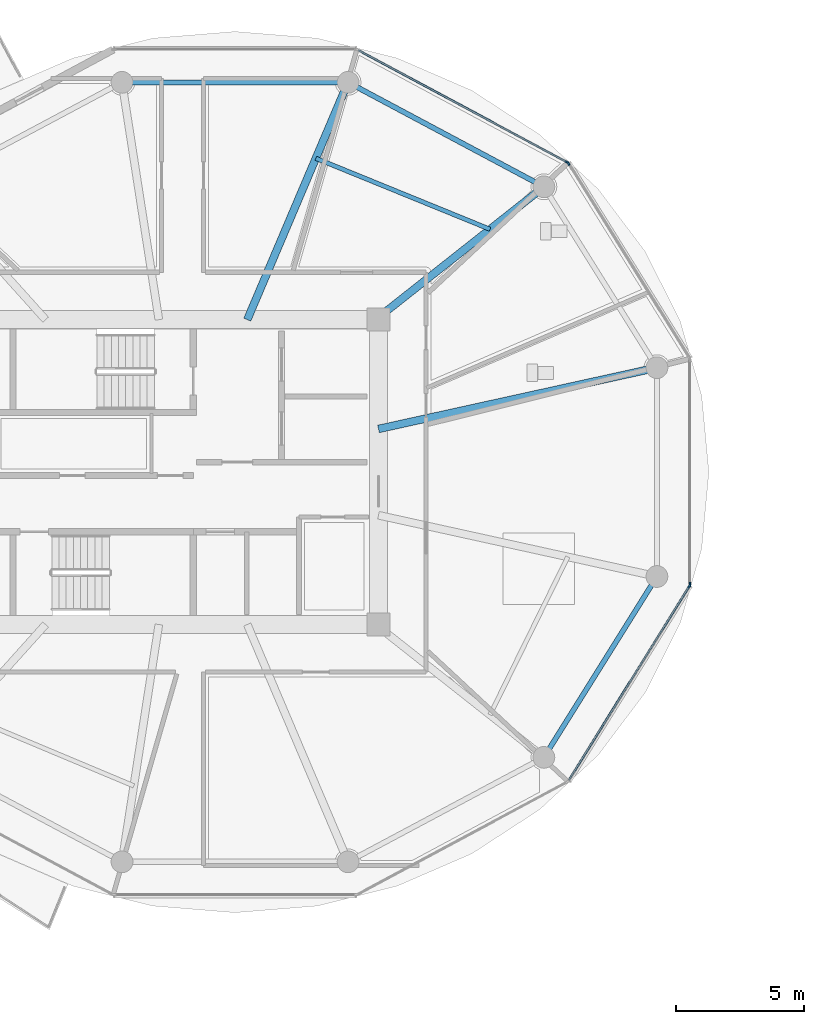
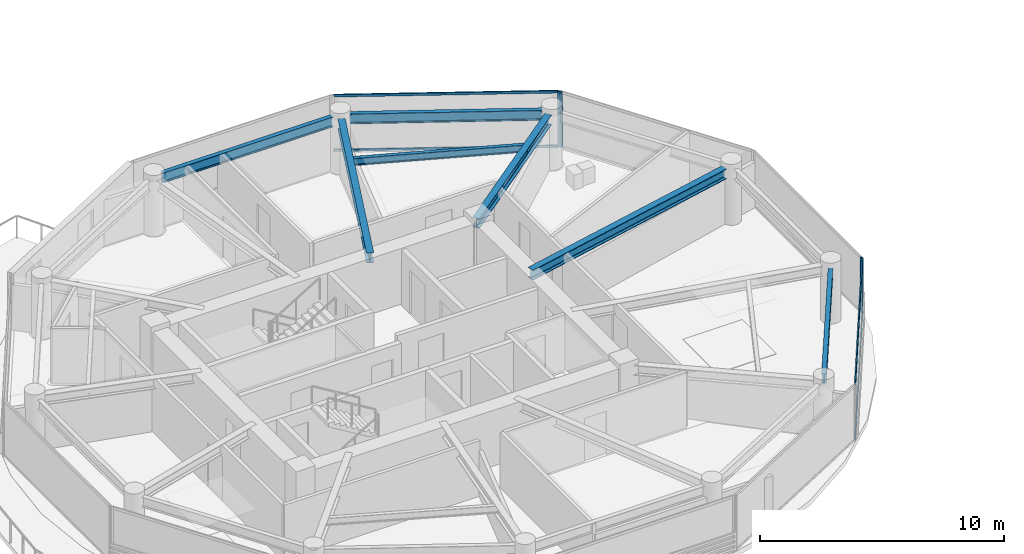
# One storey, part 5 of 25: 8 members, 7 beams, 4 elements without a shape of their own.
"""IFC4 building model written with IfcOpenShell, lengths in metres."""

from ifc_helpers import new_model, si_unit, direction, frame, origin, origin_2d, place, context, subcontext, project, spatial, rectangle, i_section, extrude, source, transform, mapped, material, layer, layer_set, material_profile, profile_set, type_object, type_shapes, element, aggregate, save


model = new_model("IFC4")

# Units and contexts
model_context = context("Model", 3, precision=1e-05, world=origin(), true_north=direction((0.0, 1.0)))
body_context = subcontext(model_context, "Body", "Model", "MODEL_VIEW")
ifc_project = project(units=[si_unit("LENGTHUNIT", "METRE"), si_unit("AREAUNIT", "SQUARE_METRE"), si_unit("VOLUMEUNIT", "CUBIC_METRE"), si_unit("PLANEANGLEUNIT", "RADIAN"), si_unit("MASSUNIT", "GRAM", prefix="KILO")], contexts=[model_context])

# Site, building, storey
site_placement = place(None, origin())
site = spatial("IfcSite", under=ifc_project, at=site_placement, CompositionType="ELEMENT")
building_placement = place(site_placement, origin())
building = spatial("IfcBuilding", under=site, at=building_placement, Name="Norrkilde Senior Care Towers", CompositionType="ELEMENT")
storey_placement = place(building_placement, frame((0.0, 0.0, 99.300048828125)))
storey = spatial("IfcBuildingStorey", under=building, at=storey_placement, Name="L30", CompositionType="ELEMENT", Elevation=99.300048828125)

# Beams
ifc_material_1 = material(Name="Steel S355", Category="steel")
ifc_material_profile_1 = material_profile(ifc_material_1, i_section(OverallWidth=0.199951171875, OverallDepth=0.5, WebThickness=0.01025390625, FlangeThickness=0.01611328125, FilletRadius=0.02099609375, at=origin_2d()), Name="IPE 500")
ifc_profile_set_1 = profile_set([ifc_material_profile_1], Name="Steel S355")
beam_type_1 = type_object("IfcBeamType", Name="Perimeter Ring Spandrel Z2 IPE500", PredefinedType="SPANDREL", material=ifc_profile_set_1)
shared_shape_1 = source(origin(), body_context, "Body", "SweptSolid", [
    extrude(i_section(OverallWidth=0.199951171875, OverallDepth=0.5, WebThickness=0.01025390625, FlangeThickness=0.01611328125, FilletRadius=0.02099609375, at=origin_2d()), origin(), (0.0, 0.0, 1.0), 7.55615234375),
])
beam_1_placement = place(storey_placement, frame((-13.689697265625, -10.810546875, 2.5400390625), z_axis=(0.529981514254, 0.848009194849, 0.0), x_axis=(-0.848009194849, 0.529981514254, 0.0)))
element("IfcBeam", 1, at=beam_1_placement, inside=storey, type_object=beam_type_1, Name="L30 Drum W Perimeter Spandrel 11", PredefinedType="SPANDREL", context=body_context, shape_type="MappedRepresentation", body=[
    mapped(shared_shape_1, transform((0.0, 0.0, 0.0), x_axis=(1.0, 0.0, 0.0), y_axis=(0.0, 1.0, 0.0), z_axis=(0.0, 0.0, 1.0), scale=1.0)),
])
ifc_material_profile_2 = material_profile(ifc_material_1, i_section(OverallWidth=0.300048828125, OverallDepth=0.5, WebThickness=0.014404296875, FlangeThickness=0.028076171875, FilletRadius=0.027099609375, at=origin_2d()), Name="HEB 500")
ifc_profile_set_2 = profile_set([ifc_material_profile_2], Name="Steel S355")
beam_type_2 = type_object("IfcBeamType", Name="Radial Floor Beam Z2 HEB500", PredefinedType="BEAM", material=ifc_profile_set_2)
shared_shape_2 = source(origin(), body_context, "Body", "SweptSolid", [
    extrude(i_section(OverallWidth=0.300048828125, OverallDepth=0.5, WebThickness=0.014404296875, FlangeThickness=0.028076171875, FilletRadius=0.027099609375, at=origin_2d()), origin(), (0.0, 0.0, 1.0), 10.744384765625),
])
beam_2_placement = place(storey_placement, frame((-20.35009765625, 1.683837890625, 2.5400390625), z_axis=(0.976618711422, 0.214978818724, 0.0), x_axis=(-0.214978818724, 0.976618711422, 0.0)))
element("IfcBeam", 2, at=beam_2_placement, inside=storey, type_object=beam_type_2, Name="L30 Drum W Radial Floor Beam 01", PredefinedType="BEAM", context=body_context, shape_type="MappedRepresentation", body=[
    mapped(shared_shape_2, transform((0.0, 0.0, 0.0), x_axis=(1.0, 0.0, 0.0), y_axis=(0.0, 1.0, 0.0), z_axis=(0.0, 0.0, 1.0), scale=1.0)),
])
shared_shape_3 = source(origin(), body_context, "Body", "SweptSolid", [
    extrude(i_section(OverallWidth=0.199951171875, OverallDepth=0.5, WebThickness=0.01025390625, FlangeThickness=0.01611328125, FilletRadius=0.02099609375, at=origin_2d()), origin(), (0.0, 0.0, 1.0), 7.892333984375),
])
beam_3_placement = place(storey_placement, frame((-14.233642578125, 11.318115234375, 2.5400390625), z_axis=(-0.882350372282, 0.47059305194, 0.0), x_axis=(-0.47059305194, -0.882350372282, 0.0)))
element("IfcBeam", 3, at=beam_3_placement, inside=storey, type_object=beam_type_1, Name="L30 Drum W Perimeter Spandrel 02", PredefinedType="SPANDREL", context=body_context, shape_type="MappedRepresentation", body=[
    mapped(shared_shape_3, transform((0.0, 0.0, 0.0), x_axis=(1.0, 0.0, 0.0), y_axis=(0.0, 1.0, 0.0), z_axis=(0.0, 0.0, 1.0), scale=1.0)),
])
shared_shape_4 = source(origin(), body_context, "Body", "SweptSolid", [
    extrude(i_section(OverallWidth=0.300048828125, OverallDepth=0.5, WebThickness=0.014404296875, FlangeThickness=0.028076171875, FilletRadius=0.027099609375, at=origin_2d()), origin(), (0.0, 0.0, 1.0), 7.985595703125),
])
beam_4_placement = place(storey_placement, frame((-20.463623046875, 5.949951171875, 2.5400390625), z_axis=(0.784858505144, 0.619675017169, 0.0), x_axis=(-0.619675017169, 0.784858505144, 0.0)))
element("IfcBeam", 4, at=beam_4_placement, inside=storey, type_object=beam_type_2, Name="L30 Drum W Radial Floor Beam 02", PredefinedType="BEAM", context=body_context, shape_type="MappedRepresentation", body=[
    mapped(shared_shape_4, transform((0.0, 0.0, 0.0), x_axis=(1.0, 0.0, 0.0), y_axis=(0.0, 1.0, 0.0), z_axis=(0.0, 0.0, 1.0), scale=1.0)),
])
shared_shape_5 = source(origin(), body_context, "Body", "SweptSolid", [
    extrude(i_section(OverallWidth=0.199951171875, OverallDepth=0.5, WebThickness=0.01025390625, FlangeThickness=0.01611328125, FilletRadius=0.02099609375, at=origin_2d()), origin(), (0.0, 0.0, 1.0), 8.0556640625),
])
type_shapes(beam_type_1, [shared_shape_1, shared_shape_3, shared_shape_5])
beam_5_placement = place(storey_placement, frame((-21.922119140625, 15.21337890625, 2.5400390625), z_axis=(-1.0, 0.0, 0.0), x_axis=(0.0, -1.0, 0.0)))
element("IfcBeam", 5, at=beam_5_placement, inside=storey, type_object=beam_type_1, Name="L30 Drum W Perimeter Spandrel 03", PredefinedType="SPANDREL", context=body_context, shape_type="MappedRepresentation", body=[
    mapped(shared_shape_5, transform((0.0, 0.0, 0.0), x_axis=(1.0, 0.0, 0.0), y_axis=(0.0, 1.0, 0.0), z_axis=(0.0, 0.0, 1.0), scale=1.0)),
])
shared_shape_6 = source(origin(), body_context, "Body", "SweptSolid", [
    extrude(i_section(OverallWidth=0.300048828125, OverallDepth=0.5, WebThickness=0.014404296875, FlangeThickness=0.028076171875, FilletRadius=0.027099609375, at=origin_2d()), origin(), (0.0, 0.0, 1.0), 9.679443359375),
])
type_shapes(beam_type_2, [shared_shape_2, shared_shape_4, shared_shape_6])
beam_6_placement = place(storey_placement, frame((-25.472412109375, 5.949951171875, 2.5400390625), z_axis=(0.390998033479, 0.920391513333, 0.0), x_axis=(-0.920391513333, 0.390998033479, 0.0)))
element("IfcBeam", 6, at=beam_6_placement, inside=storey, type_object=beam_type_2, Name="L30 Drum W Radial Floor Beam 03", PredefinedType="BEAM", context=body_context, shape_type="MappedRepresentation", body=[
    mapped(shared_shape_6, transform((0.0, 0.0, 0.0), x_axis=(1.0, 0.0, 0.0), y_axis=(0.0, 1.0, 0.0), z_axis=(0.0, 0.0, 1.0), scale=1.0)),
])
ifc_material_profile_3 = material_profile(ifc_material_1, i_section(OverallWidth=0.169921875, OverallDepth=0.360107421875, WebThickness=0.008056640625, FlangeThickness=0.0126953125, FilletRadius=0.01806640625, at=origin_2d()), Name="IPE 360")
ifc_profile_set_3 = profile_set([ifc_material_profile_3], Name="Steel S355")
beam_type_3 = type_object("IfcBeamType", Name="Secondary Floor Joist IPE360", PredefinedType="JOIST", material=ifc_profile_set_3)
shared_shape_7 = source(origin(), body_context, "Body", "SweptSolid", [
    extrude(i_section(OverallWidth=0.169921875, OverallDepth=0.360107421875, WebThickness=0.008056640625, FlangeThickness=0.0126953125, FilletRadius=0.01806640625, at=origin_2d()), origin(), (0.0, 0.0, 1.0), 7.343505859375),
])
type_shapes(beam_type_3, [shared_shape_7])
beam_7_placement = place(storey_placement, frame((-15.99609375, 9.47705078125, 2.60986328125), z_axis=(-0.926021784767, 0.377470070519, 0.0), x_axis=(-0.377470070519, -0.926021784767, 0.0)))
element("IfcBeam", 7, at=beam_7_placement, inside=storey, type_object=beam_type_3, Name="L30 Drum W Secondary Floor Joist 1", PredefinedType="JOIST", context=body_context, shape_type="MappedRepresentation", body=[
    mapped(shared_shape_7, transform((0.0, 0.0, 0.0), x_axis=(1.0, 0.0, 0.0), y_axis=(0.0, 1.0, 0.0), z_axis=(0.0, 0.0, 1.0), scale=1.0)),
])

# Curtain wall, member
ifc_material_2 = material(Name="Triple Low-E Insulated Glazing", Category="glass")
ifc_layer = layer(ifc_material_2, 0.195068359375)
ifc_layer_set = layer_set([ifc_layer], Name="Triple Low-E Insulated Glazing")
curtain_wall_type = type_object("IfcCurtainWallType", Name="CW3 Zone 2 Assisted Living Curtain Wall", PredefinedType="NOTDEFINED", material=ifc_layer_set)
curtain_wall_1_placement = place(storey_placement, origin())
curtain_wall_1 = element("IfcCurtainWall", 8, at=curtain_wall_1_placement, inside=storey, type_object=curtain_wall_type, Name="L30 Drum W Curtain Wall 00", PredefinedType="NOTDEFINED")
ifc_material_3 = material(Name="Anodised Aluminium", Category="aluminium")
ifc_material_profile_4 = material_profile(ifc_material_3, rectangle(XDim=0.06494140625, YDim=0.159912109375, at=origin_2d()), Name="ALU MULL 65x160")
ifc_profile_set_4 = profile_set([ifc_material_profile_4], Name="Anodised Aluminium")
member_type_1 = type_object("IfcMemberType", Name="Curtain Wall Mullion Z1-Z2 65x160", PredefinedType="MULLION", material=ifc_profile_set_4)
shared_shape_8 = source(origin(), body_context, "Body", "SweptSolid", [
    extrude(rectangle(XDim=0.06494140625, YDim=0.159912109375, at=origin_2d()), origin(), (0.0, 0.0, 1.0), 2.7900390625),
])
type_shapes(member_type_1, [shared_shape_8])
member_1_placement = place(storey_placement, frame((-12.936279296875, 12.0498046875, 0.0), z_axis=(0.0, 0.0, 1.0), x_axis=(0.849410171862, 0.527733228002, 0.0)))
member_1 = element("IfcMember", 9, at=member_1_placement, type_object=member_type_1, Name="CW-3 mullion 1", PredefinedType="MULLION", context=body_context, shape_type="MappedRepresentation", body=[
    mapped(shared_shape_8, transform((0.0, 0.0, 0.0), x_axis=(1.0, 0.0, 0.0), y_axis=(0.0, 1.0, 0.0), z_axis=(0.0, 0.0, 1.0), scale=1.0)),
])
aggregate(curtain_wall_1, [member_1])

curtain_wall_2_placement = place(storey_placement, origin())
curtain_wall_2 = element("IfcCurtainWall", 10, at=curtain_wall_2_placement, inside=storey, type_object=curtain_wall_type, Name="L30 Drum W Curtain Wall 01", PredefinedType="NOTDEFINED")
member_2_placement = place(storey_placement, frame((-12.98193359375, 12.0927734375, 0.0), z_axis=(0.0, 0.0, 1.0), x_axis=(0.472769402511, 0.881186184668, 0.0)))
member_2 = element("IfcMember", 11, at=member_2_placement, type_object=member_type_1, Name="CW-3 mullion 2", PredefinedType="MULLION", context=body_context, shape_type="MappedRepresentation", body=[
    mapped(shared_shape_8, transform((0.0, 0.0, 0.0), x_axis=(1.0, 0.0, 0.0), y_axis=(0.0, 1.0, 0.0), z_axis=(0.0, 0.0, 1.0), scale=1.0)),
])

curtain_wall_3_placement = place(storey_placement, origin())
curtain_wall_3 = element("IfcCurtainWall", 12, at=curtain_wall_3_placement, inside=storey, type_object=curtain_wall_type, Name="L30 Drum W Curtain Wall 10", PredefinedType="NOTDEFINED")
member_3_placement = place(storey_placement, frame((-8.21337890625, -4.4482421875, 0.0), z_axis=(0.0, 0.0, 1.0), x_axis=(0.849410171862, -0.527733228002, 0.0)))
member_3 = element("IfcMember", 13, at=member_3_placement, type_object=member_type_1, Name="CW-3 mullion 1", PredefinedType="MULLION", context=body_context, shape_type="MappedRepresentation", body=[
    mapped(shared_shape_8, transform((0.0, 0.0, 0.0), x_axis=(1.0, 0.0, 0.0), y_axis=(0.0, 1.0, 0.0), z_axis=(0.0, 0.0, 1.0), scale=1.0)),
])

curtain_wall_4_placement = place(storey_placement, origin())
curtain_wall_4 = element("IfcCurtainWall", 14, at=curtain_wall_4_placement, inside=storey, type_object=curtain_wall_type, Name="L30 Drum W Curtain Wall 11", PredefinedType="NOTDEFINED")
member_4_placement = place(storey_placement, frame((-8.1962890625, -4.38818359375, 0.0), z_axis=(0.0, 0.0, 1.0), x_axis=(1.0, 0.0, 0.0)))
member_4 = element("IfcMember", 15, at=member_4_placement, type_object=member_type_1, Name="CW-3 mullion 2", PredefinedType="MULLION", context=body_context, shape_type="MappedRepresentation", body=[
    mapped(shared_shape_8, transform((0.0, 0.0, 0.0), x_axis=(1.0, 0.0, 0.0), y_axis=(0.0, 1.0, 0.0), z_axis=(0.0, 0.0, 1.0), scale=1.0)),
])
aggregate(curtain_wall_4, [member_4])

# Member
ifc_material_profile_5 = material_profile(ifc_material_3, rectangle(XDim=0.06005859375, YDim=0.1201171875, at=origin_2d()), Name="ALU TRAN 60x120")
ifc_profile_set_5 = profile_set([ifc_material_profile_5], Name="Anodised Aluminium")
member_type_2 = type_object("IfcMemberType", Name="Curtain Wall Transom Typical 60x120", PredefinedType="USERDEFINED", material=ifc_profile_set_5)
shared_shape_9 = source(origin(), body_context, "Body", "SweptSolid", [
    extrude(rectangle(XDim=0.06005859375, YDim=0.1201171875, at=origin_2d()), origin(), (0.0, 0.0, 1.0), 8.88427734375),
])
member_5_placement = place(storey_placement, frame((-8.23046875, -4.475830078125, 0.030029296875), z_axis=(-0.527749293309, -0.849400190377, 0.0), x_axis=(0.849400190377, -0.527749293309, 0.0)))
member_5 = element("IfcMember", 16, at=member_5_placement, type_object=member_type_2, Name="CW-3 transom 1.1", ObjectType="TRANSOM", PredefinedType="USERDEFINED", context=body_context, shape_type="MappedRepresentation", body=[
    mapped(shared_shape_9, transform((0.0, 0.0, 0.0), x_axis=(1.0, 0.0, 0.0), y_axis=(0.0, 1.0, 0.0), z_axis=(0.0, 0.0, 1.0), scale=1.0)),
])

member_6_placement = place(storey_placement, frame((-8.23046875, -4.475830078125, 2.760009765625), z_axis=(-0.527749293309, -0.849400190377, 0.0), x_axis=(0.849400190377, -0.527749293309, 0.0)))
member_6 = element("IfcMember", 17, at=member_6_placement, type_object=member_type_2, Name="CW-3 transom 1.2", ObjectType="TRANSOM", PredefinedType="USERDEFINED", context=body_context, shape_type="MappedRepresentation", body=[
    mapped(shared_shape_9, transform((0.0, 0.0, 0.0), x_axis=(1.0, 0.0, 0.0), y_axis=(0.0, 1.0, 0.0), z_axis=(0.0, 0.0, 1.0), scale=1.0)),
])

aggregate(curtain_wall_3, [member_3, member_5, member_6])

shared_shape_10 = source(origin(), body_context, "Body", "SweptSolid", [
    extrude(rectangle(XDim=0.06005859375, YDim=0.1201171875, at=origin_2d()), origin(), (0.0, 0.0, 1.0), 9.220458984375),
])
type_shapes(member_type_2, [shared_shape_9, shared_shape_10])
member_7_placement = place(storey_placement, frame((-21.1357421875, 16.46728515625, 0.030029296875), z_axis=(0.881188517866, -0.472765053681, 0.0), x_axis=(0.472765053681, 0.881188517866, 0.0)))
member_7 = element("IfcMember", 18, at=member_7_placement, type_object=member_type_2, Name="CW-3 transom 1.1", ObjectType="TRANSOM", PredefinedType="USERDEFINED", context=body_context, shape_type="MappedRepresentation", body=[
    mapped(shared_shape_10, transform((0.0, 0.0, 0.0), x_axis=(1.0, 0.0, 0.0), y_axis=(0.0, 1.0, 0.0), z_axis=(0.0, 0.0, 1.0), scale=1.0)),
])

member_8_placement = place(storey_placement, frame((-21.1357421875, 16.46728515625, 2.760009765625), z_axis=(0.881188517866, -0.472765053681, 0.0), x_axis=(0.472765053681, 0.881188517866, 0.0)))
member_8 = element("IfcMember", 19, at=member_8_placement, type_object=member_type_2, Name="CW-3 transom 1.2", ObjectType="TRANSOM", PredefinedType="USERDEFINED", context=body_context, shape_type="MappedRepresentation", body=[
    mapped(shared_shape_10, transform((0.0, 0.0, 0.0), x_axis=(1.0, 0.0, 0.0), y_axis=(0.0, 1.0, 0.0), z_axis=(0.0, 0.0, 1.0), scale=1.0)),
])

aggregate(curtain_wall_2, [member_2, member_7, member_8])

save(model, "model.ifc")
